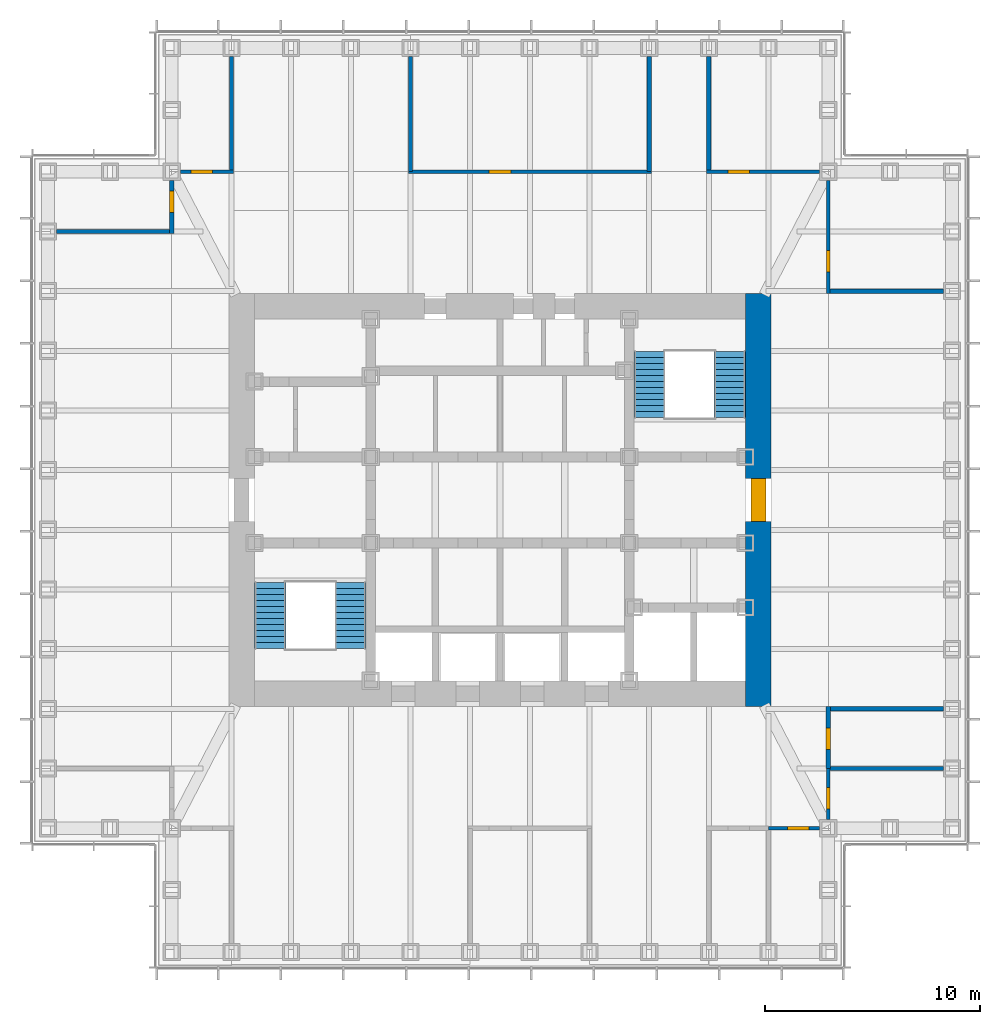
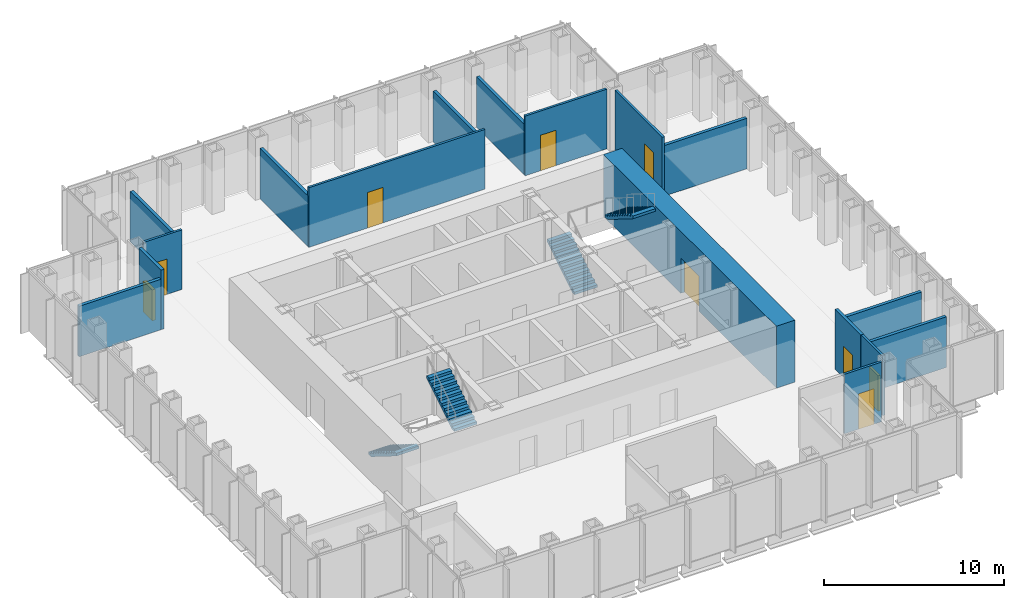
# One storey, part 10 of 16: 17 walls, 9 doors, 4 stair flights, 9 openings, 2 elements without a shape of their own.
"""IFC4 building model written with IfcOpenShell, lengths in metres."""

from ifc_helpers import new_model, si_unit, direction, frame, frame_2d, origin, place, context, subcontext, project, spatial, polyline, rectangle, outline, extrude, material, layer, layer_set, type_object, element, fill, aggregate, save


model = new_model("IFC4")

# Units and contexts
model_context = context("Model", 3, precision=1e-05, world=origin(), true_north=direction((0.0, 1.0)))
body_context = subcontext(model_context, "Body", "Model", "MODEL_VIEW")
ifc_project = project(units=[si_unit("LENGTHUNIT", "METRE"), si_unit("AREAUNIT", "SQUARE_METRE"), si_unit("VOLUMEUNIT", "CUBIC_METRE"), si_unit("PLANEANGLEUNIT", "RADIAN"), si_unit("MASSUNIT", "GRAM", prefix="KILO")], contexts=[model_context])

# Site, building, storey
site_placement = place(None, origin())
site = spatial("IfcSite", under=ifc_project, at=site_placement, CompositionType="ELEMENT")
building_placement = place(site_placement, origin())
building = spatial("IfcBuilding", under=site, at=building_placement, Name="Daluyong Arena Tower", CompositionType="ELEMENT")
storey_placement = place(building_placement, frame((0.0, 0.0, 258.699951171875)))
storey = spatial("IfcBuildingStorey", under=building, at=storey_placement, Name="L58", CompositionType="ELEMENT", Elevation=258.699951171875)

# Wall, opening, door
ifc_material_1 = material(Name="Concrete fc' 60 MPa", Category="concrete")
ifc_layer_1 = layer(ifc_material_1, 1.199951171875)
ifc_layer_set_1 = layer_set([ifc_layer_1], Name="Concrete fc' 60 MPa")
wall_type_1 = type_object("IfcWallType", Name="Core wall 1200", PredefinedType="SHEAR", material=ifc_layer_set_1)
wall_1_placement = place(storey_placement, frame((68.0, 70.39990234375, 0.0), z_axis=(0.0, 0.0, 1.0), x_axis=(0.0, 1.0, 0.0)))
wall_1 = element("IfcWall", 1, at=wall_1_placement, inside=storey, type_object=wall_type_1, Name="core wall at L58", PredefinedType="SHEAR", context=body_context, shape_type="SweptSolid", body=[
    extrude(rectangle(XDim=19.2001953125, YDim=1.199951171875, at=frame_2d((9.60009765625, 0.0))), origin(), (0.0, 0.0, 1.0), 4.199951171875),
])
opening_1_placement = place(wall_1_placement, frame((8.60009765625, 0.0, 0.0)))
opening_1 = element("IfcOpeningElement", 2, at=opening_1_placement, cuts=wall_1, Name="Opening 58019", PredefinedType="OPENING", context=body_context, shape_type="SweptSolid", body=[
    extrude(rectangle(XDim=2.0, YDim=2.39990234375, at=frame_2d((1.0, 1.199951171875))), frame((0.0, 0.60986328125, 0.0), z_axis=(0.0, -1.0, 0.0), x_axis=(1.0, 0.0, 0.0)), (0.0, 0.0, 1.0), 1.219970703125),
])
ifc_material_2 = material(Name="Steel door, fire rated", Category="steel")
door_type_1 = type_object("IfcDoorType", Name="Core lobby double door 2000", OperationType="DOUBLE_DOOR_SINGLE_SWING", PredefinedType="DOOR", material=ifc_material_2)
door_1_placement = place(opening_1_placement, origin())
door_1 = element("IfcDoor", 3, at=door_1_placement, inside=storey, type_object=door_type_1, Name="core lobby door east 58019", OperationType="DOUBLE_DOOR_SINGLE_SWING", OverallHeight=2.39990234375, OverallWidth=2.0, PredefinedType="DOOR", context=body_context, shape_type="SweptSolid", body=[
    extrude(rectangle(XDim=2.0, YDim=2.39990234375, at=frame_2d((1.0, 1.199951171875))), frame((0.0, 0.35009765625, 0.0), z_axis=(0.0, -1.0, 0.0), x_axis=(1.0, 0.0, 0.0)), (0.0, 0.0, 1.0), 0.699951171875),
])
fill(opening_1, door_1)

ifc_material_3 = material(Name="Glazed aluminium partition", Category="aluminium")
ifc_layer_2 = layer(ifc_material_3, 0.14990234375)
ifc_layer_set_2 = layer_set([ifc_layer_2], Name="Glazed aluminium partition")
wall_type_2 = type_object("IfcWallType", Name="Glazed partition 150", PredefinedType="PARTITIONING", material=ifc_layer_set_2)
wall_2_placement = place(storey_placement, frame((68.477294921875, 64.75, 0.0), z_axis=(0.0, 0.0, 1.0), x_axis=(1.0, 0.0, 0.0)))
wall_2 = element("IfcWall", 4, at=wall_2_placement, inside=storey, type_object=wall_type_2, Name="glazed partition at L58", PredefinedType="PARTITIONING", context=body_context, shape_type="SweptSolid", body=[
    extrude(rectangle(XDim=2.372802734375, YDim=0.14990234375, at=frame_2d((1.1865234375, 0.0))), origin(), (0.0, 0.0, 1.0), 4.0400390625),
])
opening_2_placement = place(wall_2_placement, frame((0.886474609375, 0.0, 0.0)))
opening_2 = element("IfcOpeningElement", 5, at=opening_2_placement, cuts=wall_2, Name="Opening 58032", PredefinedType="OPENING", context=body_context, shape_type="SweptSolid", body=[
    extrude(rectangle(XDim=1.0, YDim=2.39990234375, at=frame_2d((0.5, 1.199951171875))), frame((0.0, 0.0849609375, 0.0), z_axis=(0.0, -1.0, 0.0), x_axis=(1.0, 0.0, 0.0)), (0.0, 0.0, 1.0), 0.169921875),
])
ifc_material_4 = material(Name="Glazed aluminium door", Category="aluminium")
door_type_2 = type_object("IfcDoorType", Name="Meeting room glazed door 1000", OperationType="SINGLE_SWING_RIGHT", PredefinedType="DOOR", material=ifc_material_4)
door_2_placement = place(opening_2_placement, origin())
door_2 = element("IfcDoor", 6, at=door_2_placement, inside=storey, type_object=door_type_2, Name="focus room door 58032", OperationType="SINGLE_SWING_RIGHT", OverallHeight=2.39990234375, OverallWidth=1.0, PredefinedType="DOOR", context=body_context, shape_type="SweptSolid", body=[
    extrude(rectangle(XDim=1.0, YDim=2.39990234375, at=frame_2d((0.5, 1.199951171875))), frame((0.0, 0.07470703125, 0.0), z_axis=(0.0, -1.0, 0.0), x_axis=(1.0, 0.0, 0.0)), (0.0, 0.0, 1.0), 0.1494140625),
])
fill(opening_2, door_2)

wall_3_placement = place(storey_placement, frame((41.14990234375, 95.25, 0.0), z_axis=(0.0, 0.0, 1.0), x_axis=(1.0, 0.0, 0.0)))
wall_3 = element("IfcWall", 7, at=wall_3_placement, inside=storey, type_object=wall_type_2, Name="glazed partition at L58", PredefinedType="PARTITIONING", context=body_context, shape_type="SweptSolid", body=[
    extrude(rectangle(XDim=2.472900390625, YDim=0.14990234375, at=frame_2d((1.236328125, 0.0))), origin(), (0.0, 0.0, 1.0), 4.0400390625),
])
opening_3_placement = place(wall_3_placement, frame((0.486328125, 0.0, 0.0)))
opening_3 = element("IfcOpeningElement", 8, at=opening_3_placement, cuts=wall_3, Name="Opening 58036", PredefinedType="OPENING", context=body_context, shape_type="SweptSolid", body=[
    extrude(rectangle(XDim=1.0, YDim=2.39990234375, at=frame_2d((0.5, 1.199951171875))), frame((0.0, 0.0849609375, 0.0), z_axis=(0.0, -1.0, 0.0), x_axis=(1.0, 0.0, 0.0)), (0.0, 0.0, 1.0), 0.169921875),
])
door_3_placement = place(opening_3_placement, origin())
door_3 = element("IfcDoor", 9, at=door_3_placement, inside=storey, type_object=door_type_2, Name="focus room door 58036", OperationType="SINGLE_SWING_RIGHT", OverallHeight=2.39990234375, OverallWidth=1.0, PredefinedType="DOOR", context=body_context, shape_type="SweptSolid", body=[
    extrude(rectangle(XDim=1.0, YDim=2.39990234375, at=frame_2d((0.5, 1.199951171875))), frame((0.0, 0.07470703125, 0.0), z_axis=(0.0, -1.0, 0.0), x_axis=(1.0, 0.0, 0.0)), (0.0, 0.0, 1.0), 0.1494140625),
])
fill(opening_3, door_3)

wall_4_placement = place(storey_placement, frame((51.740966796875, 95.25, 0.0), z_axis=(0.0, 0.0, 1.0), x_axis=(1.0, 0.0, 0.0)))
wall_4 = element("IfcWall", 10, at=wall_4_placement, inside=storey, type_object=wall_type_2, Name="glazed partition at L58", PredefinedType="PARTITIONING", context=body_context, shape_type="SweptSolid", body=[
    extrude(rectangle(XDim=11.290771484375, YDim=0.14990234375, at=frame_2d((5.6455078125, 0.0))), origin(), (0.0, 0.0, 1.0), 4.0400390625),
])
opening_4_placement = place(wall_4_placement, frame((3.759033203125, 0.0, 0.0)))
opening_4 = element("IfcOpeningElement", 11, at=opening_4_placement, cuts=wall_4, Name="Opening 58037", PredefinedType="OPENING", context=body_context, shape_type="SweptSolid", body=[
    extrude(rectangle(XDim=1.0, YDim=2.39990234375, at=frame_2d((0.5, 1.199951171875))), frame((0.0, 0.0849609375, 0.0), z_axis=(0.0, -1.0, 0.0), x_axis=(1.0, 0.0, 0.0)), (0.0, 0.0, 1.0), 0.169921875),
])
door_4_placement = place(opening_4_placement, origin())
door_4 = element("IfcDoor", 12, at=door_4_placement, inside=storey, type_object=door_type_2, Name="boardroom door 58037", OperationType="SINGLE_SWING_RIGHT", OverallHeight=2.39990234375, OverallWidth=1.0, PredefinedType="DOOR", context=body_context, shape_type="SweptSolid", body=[
    extrude(rectangle(XDim=1.0, YDim=2.39990234375, at=frame_2d((0.5, 1.199951171875))), frame((0.0, 0.07470703125, 0.0), z_axis=(0.0, -1.0, 0.0), x_axis=(1.0, 0.0, 0.0)), (0.0, 0.0, 1.0), 0.1494140625),
])
fill(opening_4, door_4)

wall_5_placement = place(storey_placement, frame((65.6044921875, 95.25, 0.0), z_axis=(0.0, 0.0, 1.0), x_axis=(1.0, 0.0, 0.0)))
wall_5 = element("IfcWall", 13, at=wall_5_placement, inside=storey, type_object=wall_type_2, Name="glazed partition at L58", PredefinedType="PARTITIONING", context=body_context, shape_type="SweptSolid", body=[
    extrude(rectangle(XDim=5.24560546875, YDim=0.14990234375, at=frame_2d((2.622802734375, 0.0))), origin(), (0.0, 0.0, 1.0), 4.0400390625),
])
opening_5_placement = place(wall_5_placement, frame((0.986328125, 0.0, 0.0)))
opening_5 = element("IfcOpeningElement", 14, at=opening_5_placement, cuts=wall_5, Name="Opening 58038", PredefinedType="OPENING", context=body_context, shape_type="SweptSolid", body=[
    extrude(rectangle(XDim=1.0, YDim=2.39990234375, at=frame_2d((0.5, 1.199951171875))), frame((0.0, 0.0849609375, 0.0), z_axis=(0.0, -1.0, 0.0), x_axis=(1.0, 0.0, 0.0)), (0.0, 0.0, 1.0), 0.169921875),
])
door_5_placement = place(opening_5_placement, origin())
door_5 = element("IfcDoor", 15, at=door_5_placement, inside=storey, type_object=door_type_2, Name="meeting room door 58038", OperationType="SINGLE_SWING_RIGHT", OverallHeight=2.39990234375, OverallWidth=1.0, PredefinedType="DOOR", context=body_context, shape_type="SweptSolid", body=[
    extrude(rectangle(XDim=1.0, YDim=2.39990234375, at=frame_2d((0.5, 1.199951171875))), frame((0.0, 0.07470703125, 0.0), z_axis=(0.0, -1.0, 0.0), x_axis=(1.0, 0.0, 0.0)), (0.0, 0.0, 1.0), 0.1494140625),
])
fill(opening_5, door_5)

wall_6_placement = place(storey_placement, frame((71.25, 65.14990234375, 0.0), z_axis=(0.0, 0.0, 1.0), x_axis=(0.0, 1.0, 0.0)))
wall_6 = element("IfcWall", 16, at=wall_6_placement, inside=storey, type_object=wall_type_2, Name="glazed partition at L58", PredefinedType="PARTITIONING", context=body_context, shape_type="SweptSolid", body=[
    extrude(rectangle(XDim=2.372802734375, YDim=0.14990234375, at=frame_2d((1.1865234375, 0.0))), origin(), (0.0, 0.0, 1.0), 4.0400390625),
])
opening_6_placement = place(wall_6_placement, frame((0.486328125, 0.0, 0.0)))
opening_6 = element("IfcOpeningElement", 17, at=opening_6_placement, cuts=wall_6, Name="Opening 58033", PredefinedType="OPENING", context=body_context, shape_type="SweptSolid", body=[
    extrude(rectangle(XDim=1.0, YDim=2.39990234375, at=frame_2d((0.5, 1.199951171875))), frame((0.0, 0.0849609375, 0.0), z_axis=(0.0, -1.0, 0.0), x_axis=(1.0, 0.0, 0.0)), (0.0, 0.0, 1.0), 0.169921875),
])
door_6_placement = place(opening_6_placement, origin())
door_6 = element("IfcDoor", 18, at=door_6_placement, inside=storey, type_object=door_type_2, Name="meeting room door 58033", OperationType="SINGLE_SWING_RIGHT", OverallHeight=2.39990234375, OverallWidth=1.0, PredefinedType="DOOR", context=body_context, shape_type="SweptSolid", body=[
    extrude(rectangle(XDim=1.0, YDim=2.39990234375, at=frame_2d((0.5, 1.199951171875))), frame((0.0, 0.07470703125, 0.0), z_axis=(0.0, -1.0, 0.0), x_axis=(1.0, 0.0, 0.0)), (0.0, 0.0, 1.0), 0.1494140625),
])
fill(opening_6, door_6)

wall_7_placement = place(storey_placement, frame((71.25, 89.6044921875, 0.0), z_axis=(0.0, 0.0, 1.0), x_axis=(0.0, 1.0, 0.0)))
wall_7 = element("IfcWall", 19, at=wall_7_placement, inside=storey, type_object=wall_type_2, Name="glazed partition at L58", PredefinedType="PARTITIONING", context=body_context, shape_type="SweptSolid", body=[
    extrude(rectangle(XDim=5.24560546875, YDim=0.14990234375, at=frame_2d((2.622802734375, 0.0))), origin(), (0.0, 0.0, 1.0), 4.0400390625),
])
opening_7_placement = place(wall_7_placement, frame((0.986328125, 0.0, 0.0)))
opening_7 = element("IfcOpeningElement", 20, at=opening_7_placement, cuts=wall_7, Name="Opening 58035", PredefinedType="OPENING", context=body_context, shape_type="SweptSolid", body=[
    extrude(rectangle(XDim=1.0, YDim=2.39990234375, at=frame_2d((0.5, 1.199951171875))), frame((0.0, 0.0849609375, 0.0), z_axis=(0.0, -1.0, 0.0), x_axis=(1.0, 0.0, 0.0)), (0.0, 0.0, 1.0), 0.169921875),
])
door_7_placement = place(opening_7_placement, origin())
door_7 = element("IfcDoor", 21, at=door_7_placement, inside=storey, type_object=door_type_2, Name="meeting room door 58035", OperationType="SINGLE_SWING_RIGHT", OverallHeight=2.39990234375, OverallWidth=1.0, PredefinedType="DOOR", context=body_context, shape_type="SweptSolid", body=[
    extrude(rectangle(XDim=1.0, YDim=2.39990234375, at=frame_2d((0.5, 1.199951171875))), frame((0.0, 0.07470703125, 0.0), z_axis=(0.0, -1.0, 0.0), x_axis=(1.0, 0.0, 0.0)), (0.0, 0.0, 1.0), 0.1494140625),
])
fill(opening_7, door_7)

# Walls
ifc_material_5 = material(Name="Concrete block partition", Category="concrete")
ifc_layer_3 = layer(ifc_material_5, 0.199951171875)
ifc_layer_set_3 = layer_set([ifc_layer_3], Name="Concrete block partition")
wall_type_3 = type_object("IfcWallType", Name="Partition 200", PredefinedType="PARTITIONING", material=ifc_layer_set_3)
for number, where, z_axis, x_axis, name in (
    (22, (71.25, 67.522705078125, 0.0), (0.0, 0.0, 1.0), (1.0, 0.0, 0.0), "partition at L58"),
    (23, (71.25, 70.29541015625, 0.0), (0.0, 0.0, 1.0), (1.0, 0.0, 0.0), "partition at L58"),
    (24, (71.25, 89.70458984375, 0.0), (0.0, 0.0, 1.0), (1.0, 0.0, 0.0), "partition at L58"),
    (25, (43.522705078125, 95.25, 0.0), (0.0, 0.0, 1.0), (0.0, 1.0, 0.0), "partition at L58"),
    (26, (51.8408203125, 95.25, 0.0), (0.0, 0.0, 1.0), (0.0, 1.0, 0.0), "partition at L58"),
    (27, (62.931884765625, 95.25, 0.0), (0.0, 0.0, 1.0), (0.0, 1.0, 0.0), "partition at L58"),
    (28, (65.70458984375, 95.25, 0.0), (0.0, 0.0, 1.0), (0.0, 1.0, 0.0), "partition at L58"),
    (29, (35.39990234375, 92.477294921875, 0.0), (0.0, 0.0, 1.0), (1.0, 0.0, 0.0), "partition at L58"),
):
    element("IfcWall", number, at=place(storey_placement, frame(where, z_axis=z_axis, x_axis=x_axis)), inside=storey, type_object=wall_type_3, Name=name, PredefinedType="PARTITIONING", context=body_context, shape_type="SweptSolid", body=[
        extrude(rectangle(XDim=5.35009765625, YDim=0.199951171875, at=frame_2d((2.675048828125, 0.0))), origin(), (0.0, 0.0, 1.0), 3.427978515625),
    ])

# Wall, opening, door
wall_8_placement = place(storey_placement, frame((40.75, 92.377197265625, 0.0), z_axis=(0.0, 0.0, 1.0), x_axis=(0.0, 1.0, 0.0)))
wall_8 = element("IfcWall", 30, at=wall_8_placement, inside=storey, type_object=wall_type_3, Name="partition at L58", PredefinedType="PARTITIONING", context=body_context, shape_type="SweptSolid", body=[
    extrude(rectangle(XDim=2.472900390625, YDim=0.199951171875, at=frame_2d((1.236328125, 0.0))), origin(), (0.0, 0.0, 1.0), 4.0400390625),
])
opening_8_placement = place(wall_8_placement, frame((0.986328125, 0.0, 0.0)))
opening_8 = element("IfcOpeningElement", 31, at=opening_8_placement, cuts=wall_8, Name="Opening 58040", PredefinedType="OPENING", context=body_context, shape_type="SweptSolid", body=[
    extrude(rectangle(XDim=1.0, YDim=2.10009765625, at=frame_2d((0.5, 1.050048828125))), frame((0.0, 0.10986328125, 0.0), z_axis=(0.0, -1.0, 0.0), x_axis=(1.0, 0.0, 0.0)), (0.0, 0.0, 1.0), 0.219970703125),
])
ifc_material_6 = material(Name="Timber door", Category="wood")
door_type_3 = type_object("IfcDoorType", Name="Room door 1000", OperationType="SINGLE_SWING_LEFT", PredefinedType="DOOR", material=ifc_material_6)
door_8_placement = place(opening_8_placement, origin())
door_8 = element("IfcDoor", 32, at=door_8_placement, inside=storey, type_object=door_type_3, Name="quiet room door 58040", OperationType="SINGLE_SWING_LEFT", OverallHeight=2.10009765625, OverallWidth=1.0, PredefinedType="DOOR", context=body_context, shape_type="SweptSolid", body=[
    extrude(rectangle(XDim=1.0, YDim=2.10009765625, at=frame_2d((0.5, 1.050048828125))), frame((0.0, 0.099609375, 0.0), z_axis=(0.0, -1.0, 0.0), x_axis=(1.0, 0.0, 0.0)), (0.0, 0.0, 1.0), 0.199462890625),
])
fill(opening_8, door_8)

wall_9_placement = place(storey_placement, frame((71.25, 67.522705078125, 0.0), z_axis=(0.0, 0.0, 1.0), x_axis=(0.0, 1.0, 0.0)))
wall_9 = element("IfcWall", 33, at=wall_9_placement, inside=storey, type_object=wall_type_3, Name="partition at L58", PredefinedType="PARTITIONING", context=body_context, shape_type="SweptSolid", body=[
    extrude(rectangle(XDim=2.872802734375, YDim=0.199951171875, at=frame_2d((1.4365234375, 0.0))), origin(), (0.0, 0.0, 1.0), 4.0400390625),
])
opening_9_placement = place(wall_9_placement, frame((0.886474609375, 0.0, 0.0)))
opening_9 = element("IfcOpeningElement", 34, at=opening_9_placement, cuts=wall_9, Name="Opening 58034", PredefinedType="OPENING", context=body_context, shape_type="SweptSolid", body=[
    extrude(rectangle(XDim=1.0, YDim=2.10009765625, at=frame_2d((0.5, 1.050048828125))), frame((0.0, 0.10986328125, 0.0), z_axis=(0.0, -1.0, 0.0), x_axis=(1.0, 0.0, 0.0)), (0.0, 0.0, 1.0), 0.219970703125),
])
door_9_placement = place(opening_9_placement, origin())
door_9 = element("IfcDoor", 35, at=door_9_placement, inside=storey, type_object=door_type_3, Name="wellness room door 58034", OperationType="SINGLE_SWING_LEFT", OverallHeight=2.10009765625, OverallWidth=1.0, PredefinedType="DOOR", context=body_context, shape_type="SweptSolid", body=[
    extrude(rectangle(XDim=1.0, YDim=2.10009765625, at=frame_2d((0.5, 1.050048828125))), frame((0.0, 0.099609375, 0.0), z_axis=(0.0, -1.0, 0.0), x_axis=(1.0, 0.0, 0.0)), (0.0, 0.0, 1.0), 0.199462890625),
])
fill(opening_9, door_9)

# Stair, stair flights
ifc_material_7 = material(Name="Concrete fc' 35 MPa", Category="concrete")
stair_type = type_object("IfcStairType", Name="Core exit stair", PredefinedType="HALF_TURN_STAIR", material=ifc_material_7)
stair_1_placement = place(storey_placement, origin())
stair_1 = element("IfcStair", 36, at=stair_1_placement, inside=storey, type_object=stair_type, Name="exit stair A L58", PredefinedType="HALF_TURN_STAIR")
ifc_material_8 = material(Name="Concrete fc' 35 MPa", Category="concrete")
stair_flight_type = type_object("IfcStairFlightType", Name="Core stair flight", PredefinedType="STRAIGHT", material=ifc_material_8)
stair_flight_1_placement = place(storey_placement, frame((45.324951171875, 76.175048828125, 0.0), z_axis=(0.0, 0.0, 1.0), x_axis=(0.0, -1.0, 0.0)))
stair_flight_1 = element("IfcStairFlight", 37, at=stair_flight_1_placement, type_object=stair_flight_type, Name="STA flight 1", NumberOfRisers=12, NumberOfTreads=11, PredefinedType="STRAIGHT", RiserHeight=0.175, TreadLength=0.28, context=body_context, shape_type="SweptSolid", body=[
    extrude(outline(polyline([(0.0, 0.0), (0.0, 0.175048828125), (0.280029296875, 0.175048828125), (0.280029296875, 0.35009765625), (0.56005859375, 0.35009765625), (0.56005859375, 0.52490234375), (0.840087890625, 0.52490234375), (0.840087890625, 0.699951171875), (1.1201171875, 0.699951171875), (1.1201171875, 0.875), (1.39990234375, 0.875), (1.39990234375, 1.050048828125), (1.679931640625, 1.050048828125), (1.679931640625, 1.22509765625), (1.9599609375, 1.22509765625), (1.9599609375, 1.39990234375), (2.239990234375, 1.39990234375), (2.239990234375, 1.574951171875), (2.52001953125, 1.574951171875), (2.52001953125, 1.75), (2.800048828125, 1.75), (2.800048828125, 1.925048828125), (3.080078125, 1.925048828125), (3.080078125, 2.10009765625), (3.080078125, 1.748291015625), (0.28271484375, 0.0), (0.0, 0.0)])), frame((0.0, 0.72509765625, 0.0), z_axis=(0.0, -1.0, 0.0), x_axis=(1.0, 0.0, 0.0)), (0.0, 0.0, 1.0), 1.449951171875),
])
stair_flight_2_placement = place(storey_placement, frame((49.050048828125, 73.094970703125, 2.10009765625), z_axis=(0.0, 0.0, 1.0), x_axis=(0.0, 1.0, 0.0)))
stair_flight_2 = element("IfcStairFlight", 38, at=stair_flight_2_placement, type_object=stair_flight_type, Name="STA flight 2", NumberOfRisers=12, NumberOfTreads=11, PredefinedType="STRAIGHT", RiserHeight=0.175, TreadLength=0.28, context=body_context, shape_type="SweptSolid", body=[
    extrude(outline(polyline([(0.0, 0.0), (0.0, 0.175048828125), (0.280029296875, 0.175048828125), (0.280029296875, 0.35009765625), (0.56005859375, 0.35009765625), (0.56005859375, 0.52490234375), (0.840087890625, 0.52490234375), (0.840087890625, 0.699951171875), (1.1201171875, 0.699951171875), (1.1201171875, 0.875), (1.39990234375, 0.875), (1.39990234375, 1.050048828125), (1.679931640625, 1.050048828125), (1.679931640625, 1.22509765625), (1.9599609375, 1.22509765625), (1.9599609375, 1.39990234375), (2.239990234375, 1.39990234375), (2.239990234375, 1.574951171875), (2.52001953125, 1.574951171875), (2.52001953125, 1.75), (2.800048828125, 1.75), (2.800048828125, 1.925048828125), (3.080078125, 1.925048828125), (3.080078125, 2.10009765625), (3.080078125, 1.748291015625), (0.28271484375, 0.0), (0.0, 0.0)])), frame((0.0, 0.72509765625, 0.0), z_axis=(0.0, -1.0, 0.0), x_axis=(1.0, 0.0, 0.0)), (0.0, 0.0, 1.0), 1.449951171875),
])
aggregate(stair_1, [stair_flight_1, stair_flight_2])

stair_2_placement = place(storey_placement, origin())
stair_2 = element("IfcStair", 39, at=stair_2_placement, inside=storey, type_object=stair_type, Name="exit stair B L58", PredefinedType="HALF_TURN_STAIR")
stair_flight_3_placement = place(storey_placement, frame((62.949951171875, 83.824951171875, 0.0), z_axis=(0.0, 0.0, 1.0), x_axis=(0.0, 1.0, 0.0)))
stair_flight_3 = element("IfcStairFlight", 40, at=stair_flight_3_placement, type_object=stair_flight_type, Name="STB flight 1", NumberOfRisers=12, NumberOfTreads=11, PredefinedType="STRAIGHT", RiserHeight=0.175, TreadLength=0.28, context=body_context, shape_type="SweptSolid", body=[
    extrude(outline(polyline([(0.0, 0.0), (0.0, 0.175048828125), (0.280029296875, 0.175048828125), (0.280029296875, 0.35009765625), (0.56005859375, 0.35009765625), (0.56005859375, 0.52490234375), (0.840087890625, 0.52490234375), (0.840087890625, 0.699951171875), (1.1201171875, 0.699951171875), (1.1201171875, 0.875), (1.39990234375, 0.875), (1.39990234375, 1.050048828125), (1.679931640625, 1.050048828125), (1.679931640625, 1.22509765625), (1.9599609375, 1.22509765625), (1.9599609375, 1.39990234375), (2.239990234375, 1.39990234375), (2.239990234375, 1.574951171875), (2.52001953125, 1.574951171875), (2.52001953125, 1.75), (2.800048828125, 1.75), (2.800048828125, 1.925048828125), (3.080078125, 1.925048828125), (3.080078125, 2.10009765625), (3.080078125, 1.748291015625), (0.28271484375, 0.0), (0.0, 0.0)])), frame((0.0, 0.72509765625, 0.0), z_axis=(0.0, -1.0, 0.0), x_axis=(1.0, 0.0, 0.0)), (0.0, 0.0, 1.0), 1.449951171875),
])
stair_flight_4_placement = place(storey_placement, frame((66.675048828125, 86.905029296875, 2.10009765625), z_axis=(0.0, 0.0, 1.0), x_axis=(0.0, -1.0, 0.0)))
stair_flight_4 = element("IfcStairFlight", 41, at=stair_flight_4_placement, type_object=stair_flight_type, Name="STB flight 2", NumberOfRisers=12, NumberOfTreads=11, PredefinedType="STRAIGHT", RiserHeight=0.175, TreadLength=0.28, context=body_context, shape_type="SweptSolid", body=[
    extrude(outline(polyline([(0.0, 0.0), (0.0, 0.175048828125), (0.280029296875, 0.175048828125), (0.280029296875, 0.35009765625), (0.56005859375, 0.35009765625), (0.56005859375, 0.52490234375), (0.840087890625, 0.52490234375), (0.840087890625, 0.699951171875), (1.1201171875, 0.699951171875), (1.1201171875, 0.875), (1.39990234375, 0.875), (1.39990234375, 1.050048828125), (1.679931640625, 1.050048828125), (1.679931640625, 1.22509765625), (1.9599609375, 1.22509765625), (1.9599609375, 1.39990234375), (2.239990234375, 1.39990234375), (2.239990234375, 1.574951171875), (2.52001953125, 1.574951171875), (2.52001953125, 1.75), (2.800048828125, 1.75), (2.800048828125, 1.925048828125), (3.080078125, 1.925048828125), (3.080078125, 2.10009765625), (3.080078125, 1.748291015625), (0.28271484375, 0.0), (0.0, 0.0)])), frame((0.0, 0.72509765625, 0.0), z_axis=(0.0, -1.0, 0.0), x_axis=(1.0, 0.0, 0.0)), (0.0, 0.0, 1.0), 1.449951171875),
])
aggregate(stair_2, [stair_flight_3, stair_flight_4])

save(model, "model.ifc")
